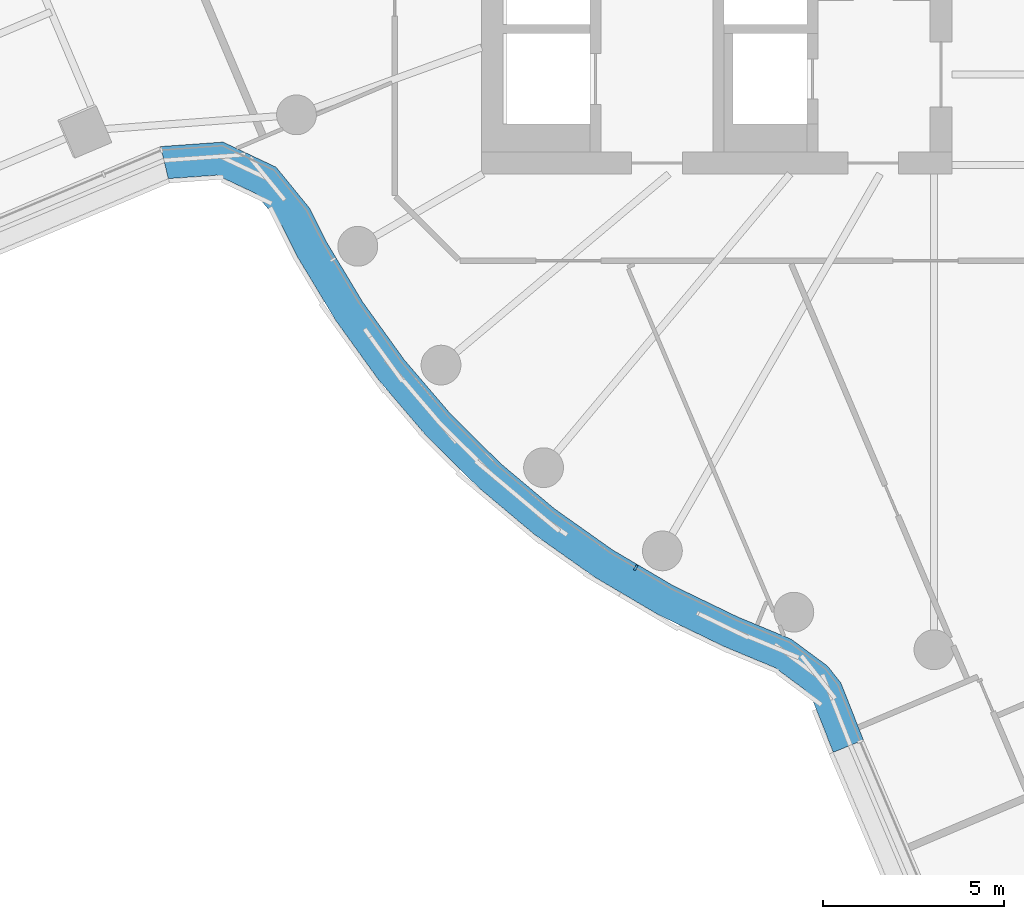
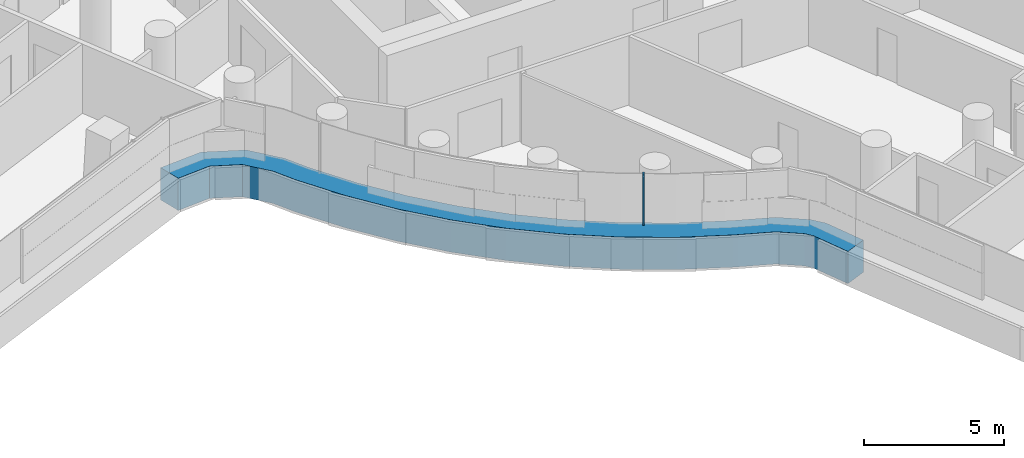
# One storey, part 3 of 35: 2 members, 1 element without a shape of its own.
"""IFC4 building model written with IfcOpenShell, lengths in metres."""

from ifc_helpers import new_model, si_unit, direction, frame, origin, origin_2d, place, context, subcontext, project, spatial, polyline, rectangle, outline, extrude, material, layer, layer_set, material_profile, profile_set, type_object, element, aggregate, save


model = new_model("IFC4")

# Units and contexts
model_context = context("Model", 3, precision=1e-05, world=origin(), true_north=direction((0.0, 1.0)))
body_context = subcontext(model_context, "Body", "Model", "MODEL_VIEW")
ifc_project = project(units=[si_unit("LENGTHUNIT", "METRE"), si_unit("AREAUNIT", "SQUARE_METRE"), si_unit("VOLUMEUNIT", "CUBIC_METRE"), si_unit("PLANEANGLEUNIT", "RADIAN"), si_unit("MASSUNIT", "GRAM", prefix="KILO")], contexts=[model_context])

# Site, building, storey
site_placement = place(None, origin())
site = spatial("IfcSite", under=ifc_project, at=site_placement, CompositionType="ELEMENT")
building_placement = place(site_placement, origin())
building = spatial("IfcBuilding", under=site, at=building_placement, Name="Tamarind Cross Interchange Tower", CompositionType="ELEMENT")
storey_placement = place(building_placement, frame((0.0, 0.0, 117.25)))
storey = spatial("IfcBuildingStorey", under=building, at=storey_placement, Name="L28", CompositionType="ELEMENT", Elevation=117.25)

# Curtain wall, members
ifc_material_1 = material(Name="Aluminium 6063-T6", Category="aluminium")
ifc_layer = layer(ifc_material_1, 0.159912109375)
ifc_layer_set = layer_set([ifc_layer], Name="Aluminium 6063-T6")
curtain_wall_type = type_object("IfcCurtainWallType", Name="Office curtain wall, 9.0 m bays", PredefinedType="NOTDEFINED", material=ifc_layer_set)
curtain_wall_placement = place(storey_placement, origin())
curtain_wall = element("IfcCurtainWall", 1, at=curtain_wall_placement, inside=storey, type_object=curtain_wall_type, Name="CWS-L28-02", PredefinedType="NOTDEFINED")
ifc_material_2 = material(Name="Aluminium and insulated spandrel panel", Category="aluminium")
member_type_1 = type_object("IfcMemberType", Name="Floor-edge blade transom", PredefinedType="USERDEFINED", material=ifc_material_2)
member_1_placement = place(storey_placement, origin())
member_1 = element("IfcMember", 2, at=member_1_placement, type_object=member_type_1, Name="CWT-L28-02", ObjectType="TRANSOM", PredefinedType="USERDEFINED", context=body_context, shape_type="SweptSolid", body=[
    extrude(outline(polyline([(-25.37060546875, -8.741943359375), (-23.64501953125, -8.61865234375), (-22.17919921875, -9.310791015625), (-21.2490234375, -10.450439453125), (-20.791259765625, -11.366943359375), (-19.78125, -13.045654296875), (-18.636474609375, -14.634521484375), (-17.3642578125, -16.12353515625), (-15.973388671875, -17.50244140625), (-14.4736328125, -18.76171875), (-12.874755859375, -19.892822265625), (-11.188232421875, -20.88818359375), (-9.42138671875, -21.742431640625), (-7.939453125, -22.358642578125), (-6.93603515625, -23.100830078125), (-6.56494140625, -23.5703125), (-5.943603515625, -25.145751953125), (-6.776611328125, -25.486572265625), (-7.353271484375, -24.024169921875), (-7.567626953125, -23.7529296875), (-8.386474609375, -23.1474609375), (-9.790283203125, -22.563720703125), (-11.613525390625, -21.68212890625), (-13.3642578125, -20.64892578125), (-15.023681640625, -19.474853515625), (-16.580810546875, -18.167724609375), (-18.0244140625, -16.736572265625), (-19.344970703125, -15.19091796875), (-20.533203125, -13.54150390625), (-21.580810546875, -11.80078125), (-22.009521484375, -10.942138671875), (-22.74755859375, -10.03759765625), (-23.81591796875, -9.533203125), (-25.15771484375, -9.629150390625), (-25.37060546875, -8.741943359375)])), origin(), (0.0, 0.0, 1.0), 1.39990234375),
])
ifc_material_profile = material_profile(ifc_material_1, rectangle(XDim=0.06005859375, YDim=0.159912109375, at=origin_2d()), Name="Mullion CW1")
ifc_profile_set = profile_set([ifc_material_profile], Name="Aluminium 6063-T6")
member_type_2 = type_object("IfcMemberType", Name="Mullion CW1", PredefinedType="MULLION", material=ifc_profile_set)
member_2_placement = place(storey_placement, frame((-12.23828125, -20.384521484375, 1.39990234375), z_axis=(0.0, 0.0, 1.0), x_axis=(0.861248933065, -0.508183308752, 0.0)))
member_2 = element("IfcMember", 3, at=member_2_placement, type_object=member_type_2, Name="CWM-L28-02-02", PredefinedType="MULLION", context=body_context, shape_type="SweptSolid", body=[
    extrude(rectangle(XDim=0.06005859375, YDim=0.159912109375, at=origin_2d()), origin(), (0.0, 0.0, 1.0), 2.210205078125),
])
aggregate(curtain_wall, [member_2, member_1])

save(model, "model.ifc")
